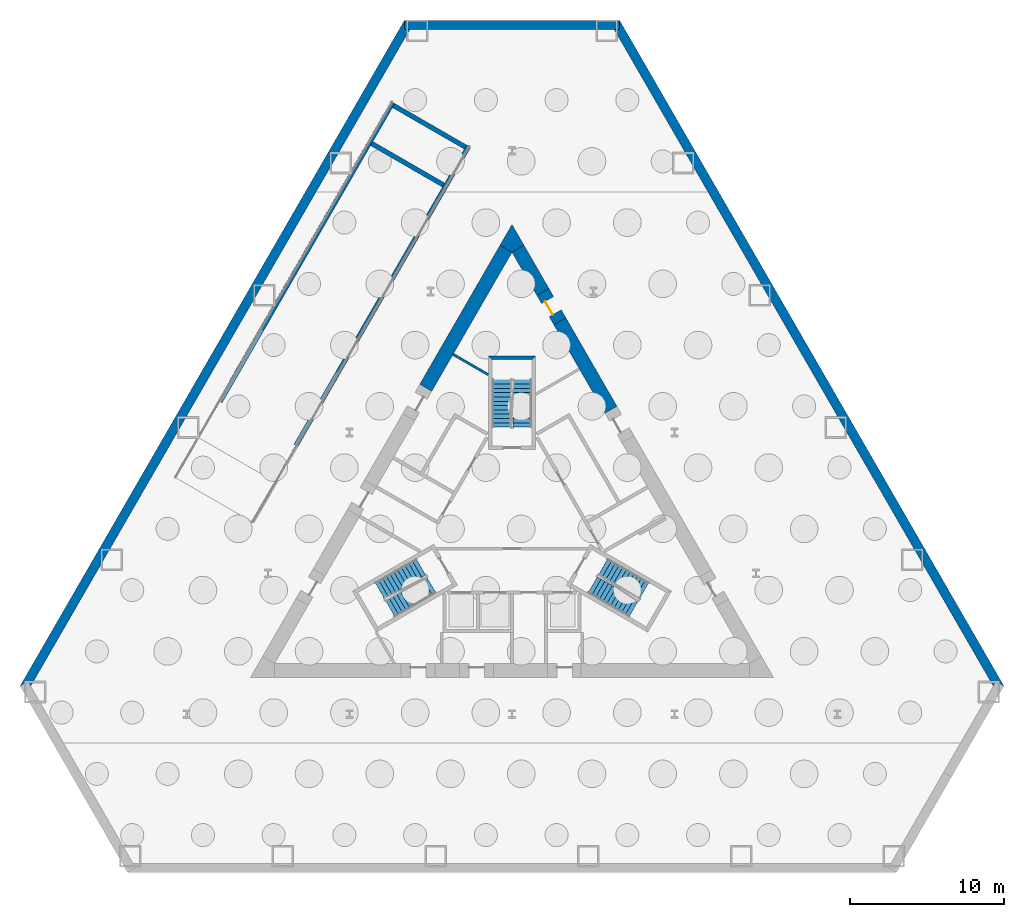
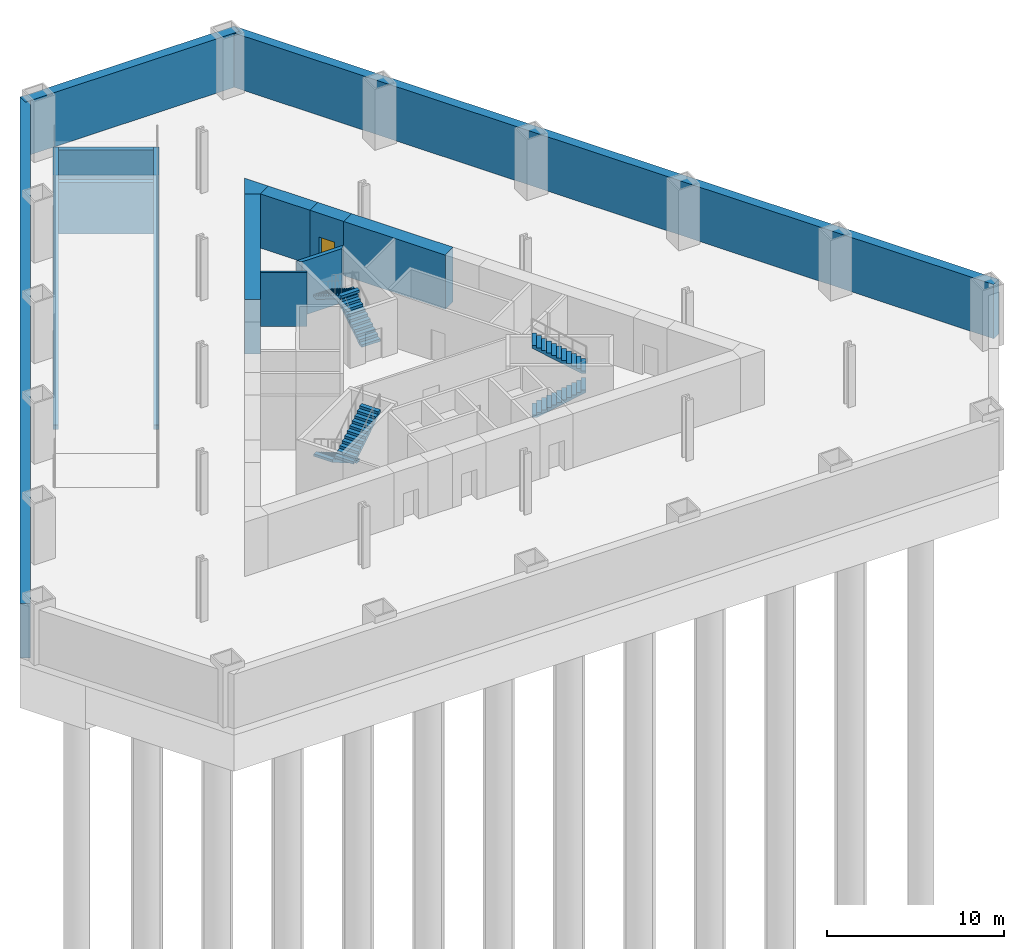
# One storey, part 4 of 6: 14 walls, 6 stair flights, 1 door, 1 opening, 3 elements without a shape of their own.
"""IFC4 building model written with IfcOpenShell, lengths in metres."""

import ifcopenshell
import ifcopenshell.guid

model = None  # the IFC model being written
_history = None  # IfcOwnerHistory: only IFC2X3 demands one
_inside = {}  # id of a spatial element -> (the spatial element, [elements in it])
_under = {}  # id of a project, library or spatial element -> (it, [spatial elements below it])
_declared = {}  # id of a project -> (the project, [libraries it declares])
_typed = {}  # id of a type object -> (the type object, [elements of that type])
_made_of = {}  # id of a material, layer set ... -> (it, [elements and type objects made of it])


def new_model(schema):
    """Start an empty IFC model of exactly this schema.

    Asked for "IFC4X3", IfcOpenShell would pick the latest addendum, in which some entities
    have other attributes; the version numbers below select the first issue.
    IFC2X3 requires an IfcOwnerHistory on every rooted entity: one is made here for all.
    """
    global model, _history
    if schema == "IFC4X3":
        model = ifcopenshell.file(schema_version=(4, 3, 0, 0))
    else:
        model = ifcopenshell.file(schema=schema)
    _inside.clear()
    _under.clear()
    _declared.clear()
    _typed.clear()
    _made_of.clear()
    _history = None
    if model.schema == "IFC2X3":
        org = make("IfcOrganization", Name="unknown")
        user = make(
            "IfcPersonAndOrganization",
            ThePerson=make("IfcPerson", FamilyName="unknown"),
            TheOrganization=org,
        )
        app = make(
            "IfcApplication",
            ApplicationDeveloper=org,
            Version="unknown",
            ApplicationFullName="unknown",
            ApplicationIdentifier="unknown",
        )
        _history = make(
            "IfcOwnerHistory",
            OwningUser=user,
            OwningApplication=app,
            ChangeAction="ADDED",
            CreationDate=0,
        )
    return model


def make(cls, **values):
    """One entity of the class cls with the attributes given. An attribute that is None is left unset."""
    return model.create_entity(
        cls, **{name: value for name, value in values.items() if value is not None}
    )


def rooted(cls, **values):
    """An entity with a GlobalId (a new one), such as an element, a storey or a relation."""
    return make(cls, GlobalId=ifcopenshell.guid.new(), OwnerHistory=_history, **values)


def si_unit(unit_type, name, prefix=None):
    """IfcSIUnit, for example si_unit("LENGTHUNIT", "METRE", prefix="MILLI")."""
    return make("IfcSIUnit", UnitType=unit_type, Prefix=prefix, Name=name)


def assignment(units):
    """IfcUnitAssignment: the units of a project."""
    return None if units is None else make("IfcUnitAssignment", Units=units)


def point(xyz):
    """IfcCartesianPoint."""
    return None if xyz is None else make("IfcCartesianPoint", Coordinates=xyz)


def direction(xyz):
    """IfcDirection."""
    return None if xyz is None else make("IfcDirection", DirectionRatios=xyz)


def frame(location, z_axis=None, x_axis=None):
    """IfcAxis2Placement3D, a coordinate frame: its origin and axes. An axis left out is left unset."""
    return make(
        "IfcAxis2Placement3D",
        Location=point(location),
        Axis=direction(z_axis),
        RefDirection=direction(x_axis),
    )


def frame_2d(location, x_axis=None):
    """IfcAxis2Placement2D, a coordinate frame in the plane: its origin and x axis."""
    return make(
        "IfcAxis2Placement2D", Location=point(location), RefDirection=direction(x_axis)
    )


def origin():
    """The frame at (0, 0, 0) with its axes left unset."""
    return frame((0.0, 0.0, 0.0))


def place(relative_to, where):
    """IfcLocalPlacement: puts the frame where relative to a parent placement (None: the world)."""
    return make(
        "IfcLocalPlacement", PlacementRelTo=relative_to, RelativePlacement=where
    )


def context(
    kind, dimensions, precision=None, world=None, true_north=None, identifier=None
):
    """IfcGeometricRepresentationContext, for example the 3D "Model" context."""
    return make(
        "IfcGeometricRepresentationContext",
        ContextIdentifier=identifier,
        ContextType=kind,
        CoordinateSpaceDimension=dimensions,
        Precision=precision,
        WorldCoordinateSystem=world,
        TrueNorth=true_north,
    )


def subcontext(parent, identifier, kind, view, scale=None):
    """IfcGeometricRepresentationSubContext, for example "Body" below "Model"."""
    return make(
        "IfcGeometricRepresentationSubContext",
        ContextIdentifier=identifier,
        ContextType=kind,
        ParentContext=parent,
        TargetScale=scale,
        TargetView=view,
    )


def project(units=None, contexts=None):
    """IfcProject with its units and contexts."""
    return rooted(
        "IfcProject",
        Name="project",
        RepresentationContexts=contexts,
        UnitsInContext=assignment(units),
    )


def spatial(cls, under=None, at=None, **own):
    """A site, building, storey or space (cls), placed at a placement, below another one or the project."""
    s = rooted(cls, ObjectPlacement=at, **own)
    if under is not None:
        _under.setdefault(under.id(), (under, []))[1].append(s)
    return s


def polyline(points):
    """IfcPolyline through the points."""
    return make("IfcPolyline", Points=[point(p) for p in points])


def profile(cls, at=None, kind="AREA", **sizes):
    """A parametric profile (cls). Its sizes go by their IFC names, for example OverallWidth=200.0."""
    return make(cls, ProfileType=kind, Position=at, **sizes)


def rectangle(**sizes):
    """IfcRectangleProfileDef."""
    return profile("IfcRectangleProfileDef", **sizes)


def outline(outer, holes=None, kind="AREA"):
    """IfcArbitraryClosedProfileDef: a profile drawn as a closed curve; with holes, ...WithVoids."""
    if holes is None:
        return make("IfcArbitraryClosedProfileDef", ProfileType=kind, OuterCurve=outer)
    return make(
        "IfcArbitraryProfileDefWithVoids",
        ProfileType=kind,
        OuterCurve=outer,
        InnerCurves=holes,
    )


def extrude(swept, where, along, depth):
    """IfcExtrudedAreaSolid: the profile swept, set in the frame where, extruded along a direction by depth."""
    return make(
        "IfcExtrudedAreaSolid",
        SweptArea=swept,
        Position=where,
        ExtrudedDirection=direction(along),
        Depth=depth,
    )


def shape(context_of_items, identifier, shape_type, items):
    """IfcShapeRepresentation: the items that make up one representation, for example the "Body"."""
    return make(
        "IfcShapeRepresentation",
        ContextOfItems=context_of_items,
        RepresentationIdentifier=identifier,
        RepresentationType=shape_type,
        Items=items,
    )


def material(Name=None, Category=None):
    """IfcMaterial."""
    return make("IfcMaterial", Name=Name, Category=Category)


def layer(
    of_material, thickness, ventilated=None, Name=None, Category=None, Priority=None
):
    """IfcMaterialLayer: one layer of a wall or slab, of a material (None: an air gap)."""
    return make(
        "IfcMaterialLayer",
        Material=of_material,
        LayerThickness=thickness,
        IsVentilated=ventilated,
        Name=Name,
        Category=Category,
        Priority=Priority,
    )


def layer_set(layers, Name=None):
    """IfcMaterialLayerSet."""
    return make("IfcMaterialLayerSet", MaterialLayers=layers, LayerSetName=Name)


def made_of(thing, what):
    """Note that an element or type object is made of a material, layer set ...; save() writes the relation."""
    if what is not None:
        _made_of.setdefault(what.id(), (what, []))[1].append(thing)
    return thing


def type_object(cls, material=None, **own):
    """A type object (cls), such as IfcWallType, which elements share."""
    return made_of(rooted(cls, **own), material)


def element(
    cls,
    number,
    at=None,
    inside=None,
    cuts=None,
    type_object=None,
    material=None,
    context=None,
    identifier="Body",
    shape_type=None,
    held_by="IfcProductDefinitionShape",
    body=None,
    shapes=None,
    **own,
):
    """One element of the class cls, such as IfcWall. Its Tag is "e" and its number.

    at: its placement. inside: the storey or other place that contains it. cuts: it is an
    opening in that element (IfcRelVoidsElement). A single representation is given by context,
    identifier, shape_type and body (its items); several are given by shapes. held_by: the class
    of the entity that holds the representations. save() writes the other relations.
    """
    e = rooted(cls, Tag="e%d" % number, ObjectPlacement=at, **own)
    if body is not None:
        shapes = [shape(context, identifier, shape_type, body)]
    if shapes is not None:
        e.Representation = make(held_by, Representations=shapes)
    if inside is not None:
        _inside.setdefault(inside.id(), (inside, []))[1].append(e)
    if cuts is not None:
        rooted(
            "IfcRelVoidsElement", RelatingBuildingElement=cuts, RelatedOpeningElement=e
        )
    if type_object is not None:
        _typed.setdefault(type_object.id(), (type_object, []))[1].append(e)
    return made_of(e, material)


def fill(opening, filler):
    """IfcRelFillsElement: the door or window that sits in an opening."""
    return rooted(
        "IfcRelFillsElement",
        RelatingOpeningElement=opening,
        RelatedBuildingElement=filler,
    )


def aggregate(whole, parts):
    """IfcRelAggregates: a whole, such as a stair, and the parts it consists of."""
    return rooted("IfcRelAggregates", RelatingObject=whole, RelatedObjects=parts)


def save(model, path):
    """Write the relations noted so far, then the file.

    IfcRelAggregates (storeys below a building ...), IfcRelContainedInSpatialStructure (elements
    in a storey), IfcRelDefinesByType, IfcRelAssociatesMaterial and IfcRelDeclares: one each for
    every whole, place, type object, material and project.
    """
    for whole, parts in _under.values():
        aggregate(whole, parts)
    for where, things in _inside.values():
        rooted(
            "IfcRelContainedInSpatialStructure",
            RelatedElements=things,
            RelatingStructure=where,
        )
    for kind, things in _typed.values():
        rooted("IfcRelDefinesByType", RelatedObjects=things, RelatingType=kind)
    for what, things in _made_of.values():
        rooted("IfcRelAssociatesMaterial", RelatedObjects=things, RelatingMaterial=what)
    for by, libraries in _declared.values():
        rooted("IfcRelDeclares", RelatingContext=by, RelatedDefinitions=libraries)
    model.write(path)


model = new_model("IFC4")

# Units and contexts
model_context = context("Model", 3, precision=1e-05, world=origin(), true_north=direction((0.0, 1.0)))
body_context = subcontext(model_context, "Body", "Model", "MODEL_VIEW")
ifc_project = project(units=[si_unit("LENGTHUNIT", "METRE"), si_unit("AREAUNIT", "SQUARE_METRE"), si_unit("VOLUMEUNIT", "CUBIC_METRE"), si_unit("PLANEANGLEUNIT", "RADIAN"), si_unit("MASSUNIT", "GRAM", prefix="KILO")], contexts=[model_context])

# Site, building, storey
site_placement = place(None, origin())
site = spatial("IfcSite", under=ifc_project, at=site_placement, CompositionType="ELEMENT")
building_placement = place(site_placement, origin())
building = spatial("IfcBuilding", under=site, at=building_placement, Name="Cormorant Prow Tower", CompositionType="ELEMENT")
storey_placement = place(building_placement, frame((0.0, 0.0, -8.39990234375)))
storey = spatial("IfcBuildingStorey", under=building, at=storey_placement, Name="B2", CompositionType="ELEMENT", Elevation=-8.39990234375)

# Walls
ifc_material_1 = material(Name="Concrete C45/55", Category="concrete")
ifc_layer_1 = layer(ifc_material_1, 0.60009765625)
ifc_layer_set_1 = layer_set([ifc_layer_1], Name="Concrete C45/55")
wall_type_1 = type_object("IfcWallType", Name="Basement retaining wall 600", PredefinedType="SOLIDWALL", material=ifc_layer_set_1)
wall_1_placement = place(storey_placement, frame((31.740234375, -10.542236328125, 0.0), z_axis=(0.0, 0.0, 1.0), x_axis=(-0.500000005698, 0.866025400495, 0.0)))
element("IfcWall", 1, at=wall_1_placement, inside=storey, type_object=wall_type_1, Name="Basement retaining wall 4 at B2", PredefinedType="SOLIDWALL", context=body_context, shape_type="SweptSolid", body=[
    extrude(rectangle(XDim=50.0, YDim=0.60009765625, at=frame_2d((25.0, 0.0))), origin(), (0.0, 0.0, 1.0), 3.75),
])
wall_2_placement = place(storey_placement, frame((7.0, 32.60888671875, 0.0), z_axis=(0.0, 0.0, 1.0), x_axis=(-1.0, 0.0, 0.0)))
element("IfcWall", 2, at=wall_2_placement, inside=storey, type_object=wall_type_1, Name="Basement retaining wall 5 at B2", PredefinedType="SOLIDWALL", context=body_context, shape_type="SweptSolid", body=[
    extrude(rectangle(XDim=14.0, YDim=0.60009765625, at=frame_2d((7.0, 0.0))), origin(), (0.0, 0.0, 1.0), 3.75),
])
wall_3_placement = place(storey_placement, frame((-6.740234375, 32.759033203125, 0.0), z_axis=(0.0, 0.0, 1.0), x_axis=(-0.500000005698, -0.866025400495, 0.0)))
element("IfcWall", 3, at=wall_3_placement, inside=storey, type_object=wall_type_1, Name="Basement retaining wall 6 at B2", PredefinedType="SOLIDWALL", context=body_context, shape_type="SweptSolid", body=[
    extrude(rectangle(XDim=50.0, YDim=0.60009765625, at=frame_2d((25.0, 0.0))), origin(), (0.0, 0.0, 1.0), 3.75),
])
ifc_material_2 = material(Name="Gypsum board partition")
ifc_layer_2 = layer(ifc_material_2, 0.14990234375)
ifc_layer_set_2 = layer_set([ifc_layer_2], Name="Gypsum board partition")
wall_type_2 = type_object("IfcWallType", Name="Core partition 150", PredefinedType="PARTITIONING", material=ifc_layer_set_2)
wall_4_placement = place(storey_placement, frame((-3.835205078125, 11.18701171875, 0.0), z_axis=(0.0, 0.0, 1.0), x_axis=(0.866011053975, -0.500024853776, 0.0)))
element("IfcWall", 4, at=wall_4_placement, inside=storey, type_object=wall_type_2, Name="Service room partition", PredefinedType="PARTITIONING", context=body_context, shape_type="SweptSolid", body=[
    extrude(rectangle(XDim=2.655517578125, YDim=0.14990234375, at=frame_2d((1.32763671875, 0.0))), origin(), (0.0, 0.0, 1.0), 3.75),
])
ifc_material_3 = material(Name="Concrete 8000 psi", Category="concrete")
ifc_layer_3 = layer(ifc_material_3, 0.89990234375)
ifc_layer_set_3 = layer_set([ifc_layer_3], Name="Concrete 8000 psi")
wall_type_3 = type_object("IfcWallType", Name="Core shear wall 900", PredefinedType="SHEAR", material=ifc_layer_set_3)
wall_5_placement = place(storey_placement, frame((6.436279296875, 7.581787109375, 0.0), z_axis=(0.0, 0.0, 1.0), x_axis=(-0.500003364394, 0.866023461342, 0.0)))
element("IfcWall", 5, at=wall_5_placement, inside=storey, type_object=wall_type_3, Name="Core wall", PredefinedType="SHEAR", context=body_context, shape_type="SweptSolid", body=[
    extrude(rectangle(XDim=6.6455078125, YDim=0.89990234375, at=frame_2d((3.32275390625, 0.0))), origin(), (0.0, 0.0, 1.0), 3.75),
])
wall_6_placement = place(storey_placement, frame((2.013671875, 15.2421875, 0.0), z_axis=(0.0, 0.0, 1.0), x_axis=(-0.500019593356, 0.866014091259, 0.0)))
element("IfcWall", 6, at=wall_6_placement, inside=storey, type_object=wall_type_3, Name="Core wall", PredefinedType="SHEAR", context=body_context, shape_type="SweptSolid", body=[
    extrude(rectangle(XDim=3.247802734375, YDim=0.89990234375, at=frame_2d((1.6240234375, 0.0))), origin(), (0.0, 0.0, 1.0), 3.75),
])
wall_7_placement = place(storey_placement, frame((-0.3896484375, 18.054931640625, 0.0), z_axis=(0.0, 0.0, 1.0), x_axis=(-0.500001039332, -0.866024803725, 0.0)))
element("IfcWall", 7, at=wall_7_placement, inside=storey, type_object=wall_type_3, Name="Core wall", PredefinedType="SHEAR", context=body_context, shape_type="SweptSolid", body=[
    extrude(rectangle(XDim=10.443359375, YDim=0.89990234375, at=frame_2d((5.2216796875, 0.0))), origin(), (0.0, 0.0, 1.0), 3.75),
])
wall_8_placement = place(storey_placement, origin())
element("IfcWall", 8, at=wall_8_placement, inside=storey, type_object=wall_type_3, Name="Core wall corner", PredefinedType="SHEAR", context=body_context, shape_type="SweptSolid", body=[
    extrude(outline(polyline([(-0.779296875, 18.27978515625), (0.0, 19.6298828125), (0.779296875, 18.27978515625), (0.0, 17.829833984375), (-0.779296875, 18.27978515625)])), origin(), (0.0, 0.0, 1.0), 3.75),
])

# Wall, opening, door
wall_9_placement = place(storey_placement, frame((3.113525390625, 13.3369140625, 0.0), z_axis=(0.0, 0.0, 1.0), x_axis=(-0.499946605688, 0.86605622881, 0.0)))
wall_9 = element("IfcWall", 9, at=wall_9_placement, inside=storey, type_object=wall_type_3, Name="Core wall door panel", PredefinedType="SHEAR", context=body_context, shape_type="SweptSolid", body=[
    extrude(rectangle(XDim=2.199951171875, YDim=0.89990234375, at=frame_2d((1.10009765625, 0.0))), origin(), (0.0, 0.0, 1.0), 3.75),
])
opening_placement = place(wall_9_placement, frame((0.60009765625, 0.0, 0.0)))
opening = element("IfcOpeningElement", 10, at=opening_placement, cuts=wall_9, Name="Opening B2-C19", PredefinedType="OPENING", context=body_context, shape_type="SweptSolid", body=[
    extrude(rectangle(XDim=1.0, YDim=2.10009765625, at=frame_2d((0.5, 1.050048828125))), frame((0.0, 0.4599609375, 0.0), z_axis=(0.0, -1.0, 0.0), x_axis=(1.0, 0.0, 0.0)), (0.0, 0.0, 1.0), 0.919921875),
])
ifc_material_4 = material(Name="Painted steel", Category="steel")
door_type = type_object("IfcDoorType", Name="Service door 1000x2100", OperationType="NOTDEFINED", PredefinedType="DOOR", material=ifc_material_4)
door_placement = place(opening_placement, origin())
door = element("IfcDoor", 11, at=door_placement, inside=storey, type_object=door_type, Name="Core door, Mechanical riser room", OperationType="SINGLE_SWING_RIGHT", OverallHeight=2.10009765625, OverallWidth=1.0, PredefinedType="DOOR", context=body_context, shape_type="SweptSolid", body=[
    extrude(rectangle(XDim=1.0, YDim=2.10009765625, at=frame_2d((0.5, 1.050048828125))), frame((0.0, 0.205078125, 0.0), z_axis=(0.0, -1.0, 0.0), x_axis=(1.0, 0.0, 0.0)), (0.0, 0.0, 1.0), 0.050048828125),
])
fill(opening, door)

# Walls
ifc_material_5 = material(Name="Concrete 5000 psi", Category="concrete")
ifc_layer_4 = layer(ifc_material_5, 0.300048828125)
ifc_layer_set_4 = layer_set([ifc_layer_4], Name="Concrete 5000 psi")
wall_type_4 = type_object("IfcWallType", Name="Ramp support wall 300", PredefinedType="SHEAR", material=ifc_layer_set_4)
wall_10_placement = place(storey_placement, frame((-2.817138671875, 24.720458984375, 0.0), z_axis=(0.0, 0.0, 1.0), x_axis=(-0.500000572924, -0.866025073006, 0.0)))
element("IfcWall", 12, at=wall_10_placement, inside=storey, type_object=wall_type_4, Name="Vehicle ramp 3 inner support wall", PredefinedType="SHEAR", context=body_context, shape_type="SweptSolid", body=[
    extrude(outline(polyline([(0.0, 0.0), (22.466796875, 0.0), (22.466796875, 0.2998046875), (3.0, 3.548583984375), (3.0, 3.54443359375), (0.0, 3.798583984375), (0.0, 0.0)])), frame((0.0, 0.14990234375, 0.0), z_axis=(0.0, -1.0, 0.0), x_axis=(1.0, 0.0, 0.0)), (0.0, 0.0, 1.0), 0.300048828125),
])
wall_11_placement = place(storey_placement, frame((-7.75341796875, 27.570556640625, 0.0), z_axis=(0.0, 0.0, 1.0), x_axis=(-0.500004017478, -0.86602308428, 0.0)))
element("IfcWall", 13, at=wall_11_placement, inside=storey, type_object=wall_type_4, Name="Vehicle ramp 3 outer support wall", PredefinedType="SHEAR", context=body_context, shape_type="SweptSolid", body=[
    extrude(outline(polyline([(0.0, 0.0), (22.467041015625, 0.0), (22.466796875, 0.2998046875), (3.0, 3.548583984375), (3.0, 3.54443359375), (0.0, 3.798583984375), (0.0, 0.0)])), frame((0.0, 0.14990234375, 0.0), z_axis=(0.0, -1.0, 0.0), x_axis=(1.0, 0.0, 0.0)), (0.0, 0.0, 1.0), 0.300048828125),
])
wall_12_placement = place(storey_placement, frame((-4.447021484375, 22.197509765625, 0.0), z_axis=(0.0, 0.0, 1.0), x_axis=(-0.866028230842, 0.499995103361, 0.0)))
element("IfcWall", 14, at=wall_12_placement, inside=storey, type_object=wall_type_4, Name="Vehicle ramp 3 cross support wall 1", PredefinedType="SHEAR", context=body_context, shape_type="SweptSolid", body=[
    extrude(rectangle(XDim=5.39990234375, YDim=0.300048828125, at=frame_2d((2.699951171875, 0.0))), origin(), (0.0, 0.0, 1.0), 3.54443359375),
])
wall_13_placement = place(storey_placement, frame((-3.022216796875, 24.66552734375, 0.0), z_axis=(0.0, 0.0, 1.0), x_axis=(-0.866016927499, 0.50001468107, 0.0)))
element("IfcWall", 15, at=wall_13_placement, inside=storey, type_object=wall_type_4, Name="Vehicle ramp 3 head support wall", PredefinedType="SHEAR", context=body_context, shape_type="SweptSolid", body=[
    extrude(rectangle(XDim=5.399658203125, YDim=0.300048828125, at=frame_2d((2.69970703125, 0.0))), origin(), (0.0, 0.0, 1.0), 3.798583984375),
])
ifc_material_6 = material(Name="Concrete 8000 psi", Category="concrete")
ifc_layer_5 = layer(ifc_material_6, 0.25)
ifc_layer_set_5 = layer_set([ifc_layer_5], Name="Concrete 8000 psi")
wall_type_5 = type_object("IfcWallType", Name="Stair wall 250", PredefinedType="SHEAR", material=ifc_layer_set_5)
wall_14_placement = place(storey_placement, origin())
element("IfcWall", 16, at=wall_14_placement, inside=storey, type_object=wall_type_5, Name="Stair ST3 enclosure wall (end)", PredefinedType="SHEAR", context=body_context, shape_type="SweptSolid", body=[
    extrude(outline(polyline([(1.5439453125, 11.0869140625), (-1.5439453125, 11.0869140625), (-1.2939453125, 10.8369140625), (1.2939453125, 10.8369140625), (1.5439453125, 11.0869140625)])), origin(), (0.0, 0.0, 1.0), 3.75),
])

# Stair, stair flights
ifc_material_7 = material(Name="Exit stair 24 risers")
stair_type = type_object("IfcStairType", Name="Exit stair 24 risers", PredefinedType="HALF_TURN_STAIR", material=ifc_material_7)
stair_1_placement = place(storey_placement, origin())
stair_1 = element("IfcStair", 17, at=stair_1_placement, inside=storey, type_object=stair_type, Name="B2 Exit stair ST1", PredefinedType="HALF_TURN_STAIR")
ifc_material_8 = material(Name="Concrete 5000 psi", Category="concrete")
stair_flight_type = type_object("IfcStairFlightType", Name="Stair flight 1219", PredefinedType="STRAIGHT", material=ifc_material_8)
stair_flight_1_placement = place(storey_placement, frame((-5.93310546875, -2.635009765625, 0.0), z_axis=(0.0, 0.0, 1.0), x_axis=(-0.866025403784, -0.5, 0.0)))
stair_flight_1 = element("IfcStairFlight", 18, at=stair_flight_1_placement, type_object=stair_flight_type, Name="ST1 flight 1", NumberOfRisers=12, NumberOfTreads=11, PredefinedType="STRAIGHT", RiserHeight=0.175, TreadLength=0.28, context=body_context, shape_type="SweptSolid", body=[
    extrude(outline(polyline([(0.0, 0.0), (0.0, 0.175048828125), (0.280029296875, 0.175048828125), (0.280029296875, 0.35009765625), (0.56005859375, 0.35009765625), (0.56005859375, 0.52490234375), (0.840087890625, 0.52490234375), (0.840087890625, 0.699951171875), (1.1201171875, 0.699951171875), (1.1201171875, 0.875), (1.39990234375, 0.875), (1.39990234375, 1.050048828125), (1.679931640625, 1.050048828125), (1.679931640625, 1.22509765625), (1.9599609375, 1.22509765625), (1.9599609375, 1.39990234375), (2.239990234375, 1.39990234375), (2.239990234375, 1.574951171875), (2.52001953125, 1.574951171875), (2.52001953125, 1.75), (2.800048828125, 1.75), (2.800048828125, 1.925048828125), (3.080078125, 1.925048828125), (3.080078125, 2.10009765625), (3.080078125, 1.748291015625), (0.28271484375, 0.0), (0.0, 0.0)])), frame((0.0, 0.609375, 0.0), z_axis=(0.0, -1.0, 0.0), x_axis=(1.0, 0.0, 0.0)), (0.0, 0.0, 1.0), 1.218994140625),
])
stair_flight_2_placement = place(storey_placement, frame((-7.916015625, -5.360595703125, 2.099853515625), z_axis=(0.0, 0.0, 1.0), x_axis=(0.866025403784, 0.5, 0.0)))
stair_flight_2 = element("IfcStairFlight", 19, at=stair_flight_2_placement, type_object=stair_flight_type, Name="ST1 flight 2", NumberOfRisers=12, NumberOfTreads=11, PredefinedType="STRAIGHT", RiserHeight=0.175, TreadLength=0.28, context=body_context, shape_type="SweptSolid", body=[
    extrude(outline(polyline([(0.0, 0.0), (0.0, 0.175048828125), (0.280029296875, 0.175048828125), (0.280029296875, 0.35009765625), (0.56005859375, 0.35009765625), (0.56005859375, 0.52490234375), (0.840087890625, 0.52490234375), (0.840087890625, 0.699951171875), (1.1201171875, 0.699951171875), (1.1201171875, 0.875), (1.39990234375, 0.875), (1.39990234375, 1.050048828125), (1.679931640625, 1.050048828125), (1.679931640625, 1.22509765625), (1.9599609375, 1.22509765625), (1.9599609375, 1.39990234375), (2.239990234375, 1.39990234375), (2.239990234375, 1.574951171875), (2.52001953125, 1.574951171875), (2.52001953125, 1.75), (2.800048828125, 1.75), (2.800048828125, 1.925048828125), (3.080078125, 1.925048828125), (3.080078125, 2.10009765625), (3.080078125, 1.748291015625), (0.28271484375, 0.0), (0.0, 0.0)])), frame((0.0, 0.609375, 0.0), z_axis=(0.0, -1.0, 0.0), x_axis=(1.0, 0.0, 0.0)), (0.0, 0.0, 1.0), 1.218994140625),
])
aggregate(stair_1, [stair_flight_1, stair_flight_2])

stair_2_placement = place(storey_placement, origin())
stair_2 = element("IfcStair", 20, at=stair_2_placement, inside=storey, type_object=stair_type, Name="B2 Exit stair ST2", PredefinedType="HALF_TURN_STAIR")
stair_flight_3_placement = place(storey_placement, frame((5.24853515625, -3.82080078125, 0.0), z_axis=(0.0, 0.0, 1.0), x_axis=(0.866025403784, -0.5, 0.0)))
stair_flight_3 = element("IfcStairFlight", 21, at=stair_flight_3_placement, type_object=stair_flight_type, Name="ST2 flight 1", NumberOfRisers=12, NumberOfTreads=11, PredefinedType="STRAIGHT", RiserHeight=0.175, TreadLength=0.28, context=body_context, shape_type="SweptSolid", body=[
    extrude(outline(polyline([(0.0, 0.0), (0.0, 0.175048828125), (0.280029296875, 0.175048828125), (0.280029296875, 0.35009765625), (0.56005859375, 0.35009765625), (0.56005859375, 0.52490234375), (0.840087890625, 0.52490234375), (0.840087890625, 0.699951171875), (1.1201171875, 0.699951171875), (1.1201171875, 0.875), (1.39990234375, 0.875), (1.39990234375, 1.050048828125), (1.679931640625, 1.050048828125), (1.679931640625, 1.22509765625), (1.9599609375, 1.22509765625), (1.9599609375, 1.39990234375), (2.239990234375, 1.39990234375), (2.239990234375, 1.574951171875), (2.52001953125, 1.574951171875), (2.52001953125, 1.75), (2.800048828125, 1.75), (2.800048828125, 1.925048828125), (3.080078125, 1.925048828125), (3.080078125, 2.10009765625), (3.080078125, 1.748291015625), (0.28271484375, 0.0), (0.0, 0.0)])), frame((0.0, 0.609375, 0.0), z_axis=(0.0, -1.0, 0.0), x_axis=(1.0, 0.0, 0.0)), (0.0, 0.0, 1.0), 1.218994140625),
])
stair_flight_4_placement = place(storey_placement, frame((8.6005859375, -4.175048828125, 2.099853515625), z_axis=(0.0, 0.0, 1.0), x_axis=(-0.866025403784, 0.5, 0.0)))
stair_flight_4 = element("IfcStairFlight", 22, at=stair_flight_4_placement, type_object=stair_flight_type, Name="ST2 flight 2", NumberOfRisers=12, NumberOfTreads=11, PredefinedType="STRAIGHT", RiserHeight=0.175, TreadLength=0.28, context=body_context, shape_type="SweptSolid", body=[
    extrude(outline(polyline([(0.0, 0.0), (0.0, 0.175048828125), (0.280029296875, 0.175048828125), (0.280029296875, 0.35009765625), (0.56005859375, 0.35009765625), (0.56005859375, 0.52490234375), (0.840087890625, 0.52490234375), (0.840087890625, 0.699951171875), (1.1201171875, 0.699951171875), (1.1201171875, 0.875), (1.39990234375, 0.875), (1.39990234375, 1.050048828125), (1.679931640625, 1.050048828125), (1.679931640625, 1.22509765625), (1.9599609375, 1.22509765625), (1.9599609375, 1.39990234375), (2.239990234375, 1.39990234375), (2.239990234375, 1.574951171875), (2.52001953125, 1.574951171875), (2.52001953125, 1.75), (2.800048828125, 1.75), (2.800048828125, 1.925048828125), (3.080078125, 1.925048828125), (3.080078125, 2.10009765625), (3.080078125, 1.748291015625), (0.28271484375, 0.0), (0.0, 0.0)])), frame((0.0, 0.609375, 0.0), z_axis=(0.0, -1.0, 0.0), x_axis=(1.0, 0.0, 0.0)), (0.0, 0.0, 1.0), 1.218994140625),
])
aggregate(stair_2, [stair_flight_3, stair_flight_4])

stair_3_placement = place(storey_placement, origin())
stair_3 = element("IfcStair", 23, at=stair_3_placement, inside=storey, type_object=stair_type, Name="B2 Exit stair ST3", PredefinedType="HALF_TURN_STAIR")
stair_flight_5_placement = place(storey_placement, frame((0.6845703125, 6.455810546875, 0.0), z_axis=(0.0, 0.0, 1.0), x_axis=(0.0, 1.0, 0.0)))
stair_flight_5 = element("IfcStairFlight", 24, at=stair_flight_5_placement, type_object=stair_flight_type, Name="ST3 flight 1", NumberOfRisers=12, NumberOfTreads=11, PredefinedType="STRAIGHT", RiserHeight=0.175, TreadLength=0.28, context=body_context, shape_type="SweptSolid", body=[
    extrude(outline(polyline([(0.0, 0.0), (0.0, 0.175048828125), (0.280029296875, 0.175048828125), (0.280029296875, 0.35009765625), (0.56005859375, 0.35009765625), (0.56005859375, 0.52490234375), (0.840087890625, 0.52490234375), (0.840087890625, 0.699951171875), (1.1201171875, 0.699951171875), (1.1201171875, 0.875), (1.39990234375, 0.875), (1.39990234375, 1.050048828125), (1.679931640625, 1.050048828125), (1.679931640625, 1.22509765625), (1.9599609375, 1.22509765625), (1.9599609375, 1.39990234375), (2.239990234375, 1.39990234375), (2.239990234375, 1.574951171875), (2.52001953125, 1.574951171875), (2.52001953125, 1.75), (2.800048828125, 1.75), (2.800048828125, 1.925048828125), (3.080078125, 1.925048828125), (3.080078125, 2.10009765625), (3.080078125, 1.748291015625), (0.28271484375, 0.0), (0.0, 0.0)])), frame((0.0, 0.609375, 0.0), z_axis=(0.0, -1.0, 0.0), x_axis=(1.0, 0.0, 0.0)), (0.0, 0.0, 1.0), 1.218994140625),
])
stair_flight_6_placement = place(storey_placement, frame((-0.6845703125, 9.535888671875, 2.099853515625), z_axis=(0.0, 0.0, 1.0), x_axis=(0.0, -1.0, 0.0)))
stair_flight_6 = element("IfcStairFlight", 25, at=stair_flight_6_placement, type_object=stair_flight_type, Name="ST3 flight 2", NumberOfRisers=12, NumberOfTreads=11, PredefinedType="STRAIGHT", RiserHeight=0.175, TreadLength=0.28, context=body_context, shape_type="SweptSolid", body=[
    extrude(outline(polyline([(0.0, 0.0), (0.0, 0.175048828125), (0.280029296875, 0.175048828125), (0.280029296875, 0.35009765625), (0.56005859375, 0.35009765625), (0.56005859375, 0.52490234375), (0.840087890625, 0.52490234375), (0.840087890625, 0.699951171875), (1.1201171875, 0.699951171875), (1.1201171875, 0.875), (1.39990234375, 0.875), (1.39990234375, 1.050048828125), (1.679931640625, 1.050048828125), (1.679931640625, 1.22509765625), (1.9599609375, 1.22509765625), (1.9599609375, 1.39990234375), (2.239990234375, 1.39990234375), (2.239990234375, 1.574951171875), (2.52001953125, 1.574951171875), (2.52001953125, 1.75), (2.800048828125, 1.75), (2.800048828125, 1.925048828125), (3.080078125, 1.925048828125), (3.080078125, 2.10009765625), (3.080078125, 1.748291015625), (0.28271484375, 0.0), (0.0, 0.0)])), frame((0.0, 0.609375, 0.0), z_axis=(0.0, -1.0, 0.0), x_axis=(1.0, 0.0, 0.0)), (0.0, 0.0, 1.0), 1.218994140625),
])
aggregate(stair_3, [stair_flight_5, stair_flight_6])

save(model, "model.ifc")
